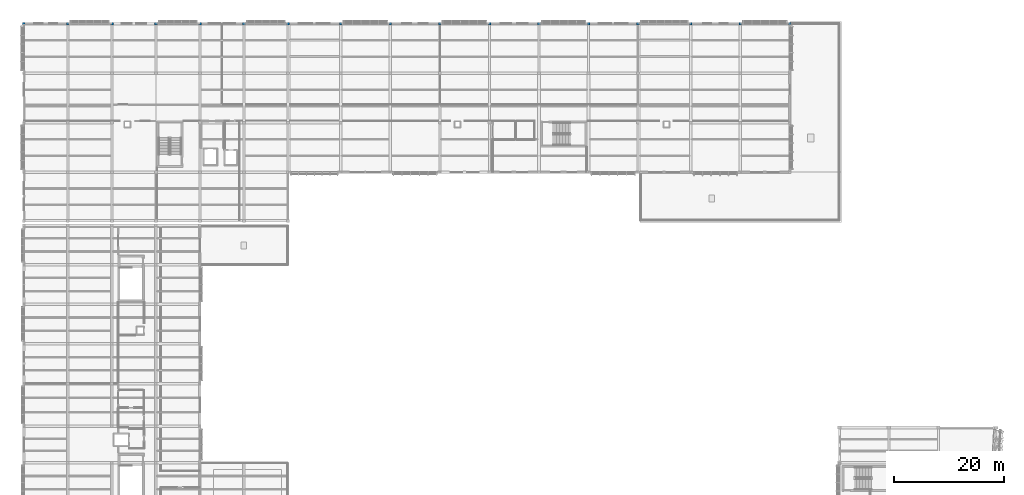
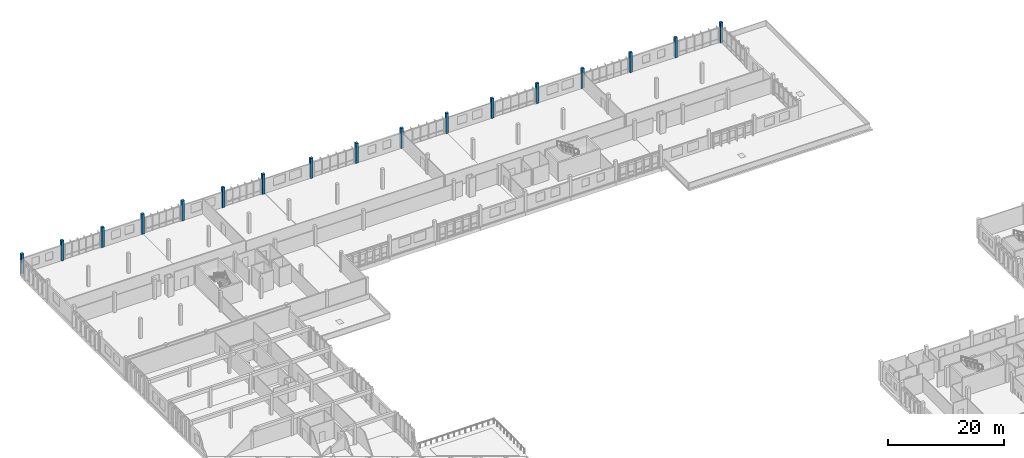
# One storey, part 4 of 107: 17 columns.
"""IFC4 building model written with IfcOpenShell, lengths in metres."""

import ifcopenshell
import ifcopenshell.guid

model = None  # the IFC model being written
_history = None  # IfcOwnerHistory: only IFC2X3 demands one
_inside = {}  # id of a spatial element -> (the spatial element, [elements in it])
_under = {}  # id of a project, library or spatial element -> (it, [spatial elements below it])
_declared = {}  # id of a project -> (the project, [libraries it declares])
_typed = {}  # id of a type object -> (the type object, [elements of that type])
_made_of = {}  # id of a material, layer set ... -> (it, [elements and type objects made of it])


def new_model(schema):
    """Start an empty IFC model of exactly this schema.

    Asked for "IFC4X3", IfcOpenShell would pick the latest addendum, in which some entities
    have other attributes; the version numbers below select the first issue.
    IFC2X3 requires an IfcOwnerHistory on every rooted entity: one is made here for all.
    """
    global model, _history
    if schema == "IFC4X3":
        model = ifcopenshell.file(schema_version=(4, 3, 0, 0))
    else:
        model = ifcopenshell.file(schema=schema)
    _inside.clear()
    _under.clear()
    _declared.clear()
    _typed.clear()
    _made_of.clear()
    _history = None
    if model.schema == "IFC2X3":
        org = make("IfcOrganization", Name="unknown")
        user = make(
            "IfcPersonAndOrganization",
            ThePerson=make("IfcPerson", FamilyName="unknown"),
            TheOrganization=org,
        )
        app = make(
            "IfcApplication",
            ApplicationDeveloper=org,
            Version="unknown",
            ApplicationFullName="unknown",
            ApplicationIdentifier="unknown",
        )
        _history = make(
            "IfcOwnerHistory",
            OwningUser=user,
            OwningApplication=app,
            ChangeAction="ADDED",
            CreationDate=0,
        )
    return model


def make(cls, **values):
    """One entity of the class cls with the attributes given. An attribute that is None is left unset."""
    return model.create_entity(
        cls, **{name: value for name, value in values.items() if value is not None}
    )


def rooted(cls, **values):
    """An entity with a GlobalId (a new one), such as an element, a storey or a relation."""
    return make(cls, GlobalId=ifcopenshell.guid.new(), OwnerHistory=_history, **values)


def si_unit(unit_type, name, prefix=None):
    """IfcSIUnit, for example si_unit("LENGTHUNIT", "METRE", prefix="MILLI")."""
    return make("IfcSIUnit", UnitType=unit_type, Prefix=prefix, Name=name)


def assignment(units):
    """IfcUnitAssignment: the units of a project."""
    return None if units is None else make("IfcUnitAssignment", Units=units)


def point(xyz):
    """IfcCartesianPoint."""
    return None if xyz is None else make("IfcCartesianPoint", Coordinates=xyz)


def direction(xyz):
    """IfcDirection."""
    return None if xyz is None else make("IfcDirection", DirectionRatios=xyz)


def frame(location, z_axis=None, x_axis=None):
    """IfcAxis2Placement3D, a coordinate frame: its origin and axes. An axis left out is left unset."""
    return make(
        "IfcAxis2Placement3D",
        Location=point(location),
        Axis=direction(z_axis),
        RefDirection=direction(x_axis),
    )


def frame_2d(location, x_axis=None):
    """IfcAxis2Placement2D, a coordinate frame in the plane: its origin and x axis."""
    return make(
        "IfcAxis2Placement2D", Location=point(location), RefDirection=direction(x_axis)
    )


def origin():
    """The frame at (0, 0, 0) with its axes left unset."""
    return frame((0.0, 0.0, 0.0))


def origin_2d():
    """The frame at (0, 0) in the plane with its x axis left unset."""
    return frame_2d((0.0, 0.0))


def place(relative_to, where):
    """IfcLocalPlacement: puts the frame where relative to a parent placement (None: the world)."""
    return make(
        "IfcLocalPlacement", PlacementRelTo=relative_to, RelativePlacement=where
    )


def context(
    kind, dimensions, precision=None, world=None, true_north=None, identifier=None
):
    """IfcGeometricRepresentationContext, for example the 3D "Model" context."""
    return make(
        "IfcGeometricRepresentationContext",
        ContextIdentifier=identifier,
        ContextType=kind,
        CoordinateSpaceDimension=dimensions,
        Precision=precision,
        WorldCoordinateSystem=world,
        TrueNorth=true_north,
    )


def subcontext(parent, identifier, kind, view, scale=None):
    """IfcGeometricRepresentationSubContext, for example "Body" below "Model"."""
    return make(
        "IfcGeometricRepresentationSubContext",
        ContextIdentifier=identifier,
        ContextType=kind,
        ParentContext=parent,
        TargetScale=scale,
        TargetView=view,
    )


def project(units=None, contexts=None):
    """IfcProject with its units and contexts."""
    return rooted(
        "IfcProject",
        Name="project",
        RepresentationContexts=contexts,
        UnitsInContext=assignment(units),
    )


def spatial(cls, under=None, at=None, **own):
    """A site, building, storey or space (cls), placed at a placement, below another one or the project."""
    s = rooted(cls, ObjectPlacement=at, **own)
    if under is not None:
        _under.setdefault(under.id(), (under, []))[1].append(s)
    return s


def profile(cls, at=None, kind="AREA", **sizes):
    """A parametric profile (cls). Its sizes go by their IFC names, for example OverallWidth=200.0."""
    return make(cls, ProfileType=kind, Position=at, **sizes)


def rectangle(**sizes):
    """IfcRectangleProfileDef."""
    return profile("IfcRectangleProfileDef", **sizes)


def extrude(swept, where, along, depth):
    """IfcExtrudedAreaSolid: the profile swept, set in the frame where, extruded along a direction by depth."""
    return make(
        "IfcExtrudedAreaSolid",
        SweptArea=swept,
        Position=where,
        ExtrudedDirection=direction(along),
        Depth=depth,
    )


def shape(context_of_items, identifier, shape_type, items):
    """IfcShapeRepresentation: the items that make up one representation, for example the "Body"."""
    return make(
        "IfcShapeRepresentation",
        ContextOfItems=context_of_items,
        RepresentationIdentifier=identifier,
        RepresentationType=shape_type,
        Items=items,
    )


def material(Name=None, Category=None):
    """IfcMaterial."""
    return make("IfcMaterial", Name=Name, Category=Category)


def material_profile(
    of_material, cross_section, Name=None, Category=None, Priority=None
):
    """IfcMaterialProfile: a cross section and its material."""
    return make(
        "IfcMaterialProfile",
        Name=Name,
        Material=of_material,
        Profile=cross_section,
        Priority=Priority,
        Category=Category,
    )


def profile_set(profiles, Name=None, composite=None):
    """IfcMaterialProfileSet."""
    return make(
        "IfcMaterialProfileSet",
        Name=Name,
        MaterialProfiles=profiles,
        CompositeProfile=composite,
    )


def made_of(thing, what):
    """Note that an element or type object is made of a material, layer set ...; save() writes the relation."""
    if what is not None:
        _made_of.setdefault(what.id(), (what, []))[1].append(thing)
    return thing


def type_object(cls, material=None, **own):
    """A type object (cls), such as IfcWallType, which elements share."""
    return made_of(rooted(cls, **own), material)


def element(
    cls,
    number,
    at=None,
    inside=None,
    cuts=None,
    type_object=None,
    material=None,
    context=None,
    identifier="Body",
    shape_type=None,
    held_by="IfcProductDefinitionShape",
    body=None,
    shapes=None,
    **own,
):
    """One element of the class cls, such as IfcWall. Its Tag is "e" and its number.

    at: its placement. inside: the storey or other place that contains it. cuts: it is an
    opening in that element (IfcRelVoidsElement). A single representation is given by context,
    identifier, shape_type and body (its items); several are given by shapes. held_by: the class
    of the entity that holds the representations. save() writes the other relations.
    """
    e = rooted(cls, Tag="e%d" % number, ObjectPlacement=at, **own)
    if body is not None:
        shapes = [shape(context, identifier, shape_type, body)]
    if shapes is not None:
        e.Representation = make(held_by, Representations=shapes)
    if inside is not None:
        _inside.setdefault(inside.id(), (inside, []))[1].append(e)
    if cuts is not None:
        rooted(
            "IfcRelVoidsElement", RelatingBuildingElement=cuts, RelatedOpeningElement=e
        )
    if type_object is not None:
        _typed.setdefault(type_object.id(), (type_object, []))[1].append(e)
    return made_of(e, material)


def aggregate(whole, parts):
    """IfcRelAggregates: a whole, such as a stair, and the parts it consists of."""
    return rooted("IfcRelAggregates", RelatingObject=whole, RelatedObjects=parts)


def save(model, path):
    """Write the relations noted so far, then the file.

    IfcRelAggregates (storeys below a building ...), IfcRelContainedInSpatialStructure (elements
    in a storey), IfcRelDefinesByType, IfcRelAssociatesMaterial and IfcRelDeclares: one each for
    every whole, place, type object, material and project.
    """
    for whole, parts in _under.values():
        aggregate(whole, parts)
    for where, things in _inside.values():
        rooted(
            "IfcRelContainedInSpatialStructure",
            RelatedElements=things,
            RelatingStructure=where,
        )
    for kind, things in _typed.values():
        rooted("IfcRelDefinesByType", RelatedObjects=things, RelatingType=kind)
    for what, things in _made_of.values():
        rooted("IfcRelAssociatesMaterial", RelatedObjects=things, RelatingMaterial=what)
    for by, libraries in _declared.values():
        rooted("IfcRelDeclares", RelatingContext=by, RelatedDefinitions=libraries)
    model.write(path)


model = new_model("IFC4")

# Units and contexts
model_context = context("Model", 3, precision=1e-05, world=origin(), true_north=direction((0.0, 1.0)))
body_context = subcontext(model_context, "Body", "Model", "MODEL_VIEW")
ifc_project = project(units=[si_unit("LENGTHUNIT", "METRE"), si_unit("AREAUNIT", "SQUARE_METRE"), si_unit("VOLUMEUNIT", "CUBIC_METRE"), si_unit("PLANEANGLEUNIT", "RADIAN"), si_unit("MASSUNIT", "GRAM", prefix="KILO")], contexts=[model_context])

# Site, building, storey
site_placement = place(None, origin())
site = spatial("IfcSite", under=ifc_project, at=site_placement, CompositionType="ELEMENT")
building_placement = place(site_placement, origin())
building = spatial("IfcBuilding", under=site, at=building_placement, Name="Chiffa Square Polytechnic", CompositionType="ELEMENT")
storey_placement = place(building_placement, frame((0.0, 0.0, 13.800048828125)))
storey = spatial("IfcBuildingStorey", under=building, at=storey_placement, Name="L03", CompositionType="ELEMENT", Elevation=13.800048828125)

# Columns
ifc_material = material(Name="Concrete C35/45", Category="concrete")
ifc_material_profile = material_profile(ifc_material, rectangle(XDim=0.5, YDim=0.5, at=origin_2d()), Name="RC 500x500")
ifc_profile_set = profile_set([ifc_material_profile], Name="Concrete C35/45")
column_type = type_object("IfcColumnType", Name="COL-RC-500", PredefinedType="COLUMN", material=ifc_profile_set)
for number, where, z_axis, x_axis, name in (
    (1, (0.0, 130.800048828125, 0.0), (0.0, 0.0, 1.0), (1.0, 0.0, 0.0), "Column C-V5-L03-0000-1308"),
    (2, (8.0, 130.800048828125, 0.0), (0.0, 0.0, 1.0), (1.0, 0.0, 0.0), "Column C-V5-L03-0080-1308"),
    (3, (16.0, 130.800048828125, 0.0), (0.0, 0.0, 1.0), (1.0, 0.0, 0.0), "Column C-V5-L03-0160-1308"),
    (4, (24.0, 130.800048828125, 0.0), (0.0, 0.0, 1.0), (1.0, 0.0, 0.0), "Column C-V5-L03-0240-1308"),
    (5, (32.0, 130.800048828125, 0.0), (0.0, 0.0, 1.0), (1.0, 0.0, 0.0), "Column C-V5-L03-0320-1308"),
    (6, (40.0, 130.800048828125, 0.0), (0.0, 0.0, 1.0), (1.0, 0.0, 0.0), "Column C-V5-L03-0400-1308"),
    (7, (48.0, 130.800048828125, 0.0), (0.0, 0.0, 1.0), (1.0, 0.0, 0.0), "Column C-V5-L03-0480-1308"),
    (8, (57.60009765625, 130.800048828125, 0.0), (0.0, 0.0, 1.0), (1.0, 0.0, 0.0), "Column C-V5-L03-0576-1308"),
    (9, (66.60009765625, 130.800048828125, 0.0), (0.0, 0.0, 1.0), (1.0, 0.0, 0.0), "Column C-V5-L03-0666-1308"),
    (10, (75.60009765625, 130.800048828125, 0.0), (0.0, 0.0, 1.0), (1.0, 0.0, 0.0), "Column C-V5-L03-0756-1308"),
    (11, (84.60009765625, 130.800048828125, 0.0), (0.0, 0.0, 1.0), (1.0, 0.0, 0.0), "Column C-V5-L03-0846-1308"),
    (12, (93.60009765625, 130.800048828125, 0.0), (0.0, 0.0, 1.0), (1.0, 0.0, 0.0), "Column C-V5-L03-0936-1308"),
    (13, (102.60009765625, 130.800048828125, 0.0), (0.0, 0.0, 1.0), (1.0, 0.0, 0.0), "Column C-V5-L03-1026-1308"),
    (14, (111.60009765625, 130.800048828125, 0.0), (0.0, 0.0, 1.0), (1.0, 0.0, 0.0), "Column C-V5-L03-1116-1308"),
    (15, (121.199951171875, 130.800048828125, 0.0), (0.0, 0.0, 1.0), (1.0, 0.0, 0.0), "Column C-V5-L03-1212-1308"),
    (16, (130.199951171875, 130.800048828125, 0.0), (0.0, 0.0, 1.0), (1.0, 0.0, 0.0), "Column C-V5-L03-1302-1308"),
    (17, (139.199951171875, 130.800048828125, 0.0), (0.0, 0.0, 1.0), (1.0, 0.0, 0.0), "Column C-V5-L03-1392-1308"),
):
    element("IfcColumn", number, at=place(storey_placement, frame(where, z_axis=z_axis, x_axis=x_axis)), inside=storey, type_object=column_type, Name=name, PredefinedType="COLUMN", context=body_context, shape_type="SweptSolid", body=[
        extrude(rectangle(XDim=0.5, YDim=0.5, at=origin_2d()), origin(), (0.0, 0.0, 1.0), 4.199951171875),
    ])

save(model, "model.ifc")
